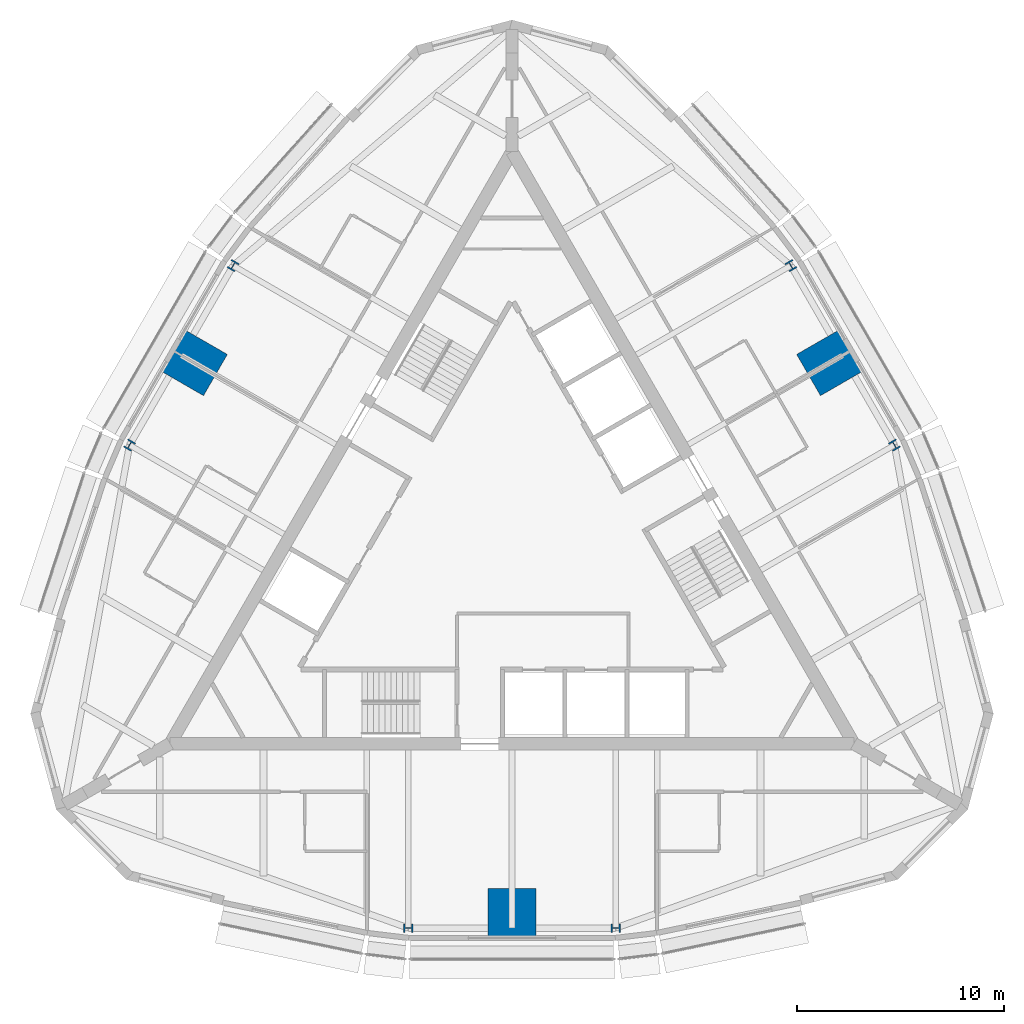
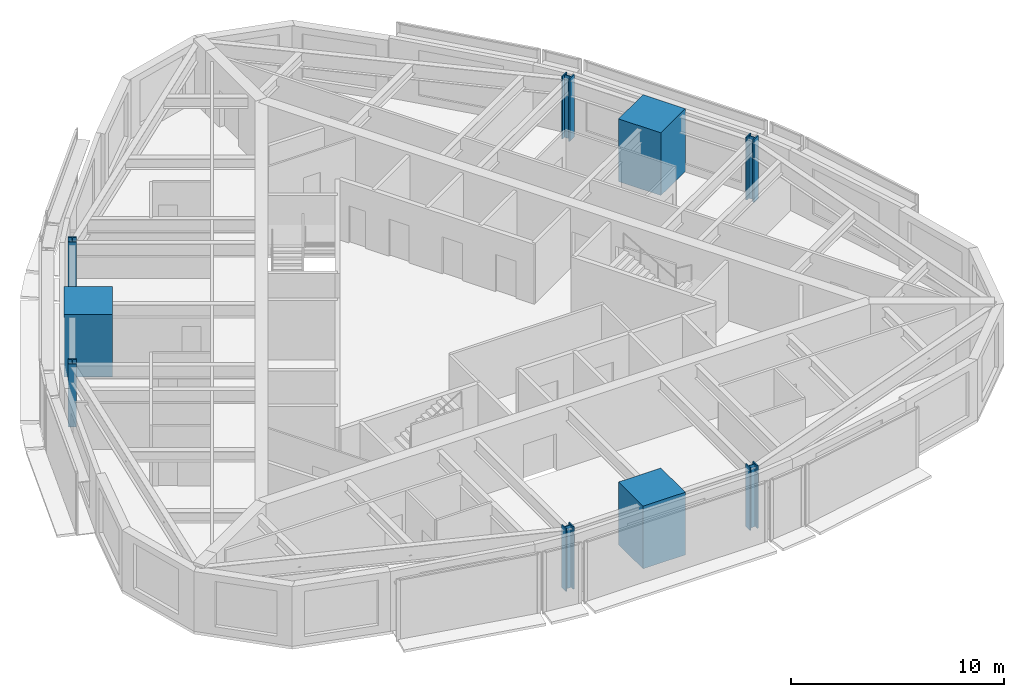
# One storey, part 1 of 12: 9 columns.
"""IFC4 building model written with IfcOpenShell, lengths in metres."""

from ifc_helpers import new_model, si_unit, direction, frame, origin, origin_2d, place, context, subcontext, project, spatial, rectangle, i_section, extrude, material, material_profile, profile_set, type_object, element, save


model = new_model("IFC4")

# Units and contexts
model_context = context("Model", 3, precision=1e-05, world=origin(), true_north=direction((0.0, 1.0)))
body_context = subcontext(model_context, "Body", "Model", "MODEL_VIEW")
ifc_project = project(units=[si_unit("LENGTHUNIT", "METRE"), si_unit("AREAUNIT", "SQUARE_METRE"), si_unit("VOLUMEUNIT", "CUBIC_METRE"), si_unit("PLANEANGLEUNIT", "RADIAN"), si_unit("MASSUNIT", "GRAM", prefix="KILO")], contexts=[model_context])

# Site, building, storey
site_placement = place(None, origin())
site = spatial("IfcSite", under=ifc_project, at=site_placement, CompositionType="ELEMENT")
building_placement = place(site_placement, origin())
building = spatial("IfcBuilding", under=site, at=building_placement, Name="Trikona Tower", CompositionType="ELEMENT")
storey_placement = place(building_placement, frame((0.0, 0.0, 253.699951171875)))
storey = spatial("IfcBuildingStorey", under=building, at=storey_placement, Name="L67", CompositionType="ELEMENT", Elevation=253.699951171875)

# Columns
ifc_material_1 = material(Name="Concrete f'c 10000 psi with encased steel section", Category="concrete")
ifc_material_profile_1 = material_profile(ifc_material_1, rectangle(XDim=2.300048828125, YDim=2.300048828125, at=origin_2d()), Name="MC2300")
ifc_profile_set_1 = profile_set([ifc_material_profile_1], Name="Concrete f'c 10000 psi with encased steel section")
column_type_1 = type_object("IfcColumnType", Name="Composite mega column 2300x2300", PredefinedType="COLUMN", material=ifc_profile_set_1)
for number, where, z_axis, x_axis, name in (
    (1, (0.0, -17.680419921875, 0.0), (0.0, 0.0, 1.0), (0.0, -1.0, 0.0), "Mega column MC1"),
    (2, (15.311767578125, 8.84033203125, 0.0), (0.0, 0.0, 1.0), (0.866025403784, 0.5, 0.0), "Mega column MC2"),
    (3, (-15.311767578125, 8.84033203125, 0.0), (0.0, 0.0, 1.0), (-0.866025403784, 0.5, 0.0), "Mega column MC3"),
):
    element("IfcColumn", number, at=place(storey_placement, frame(where, z_axis=z_axis, x_axis=x_axis)), inside=storey, type_object=column_type_1, Name=name, PredefinedType="COLUMN", context=body_context, shape_type="SweptSolid", body=[
        extrude(rectangle(XDim=2.300048828125, YDim=2.300048828125, at=origin_2d()), origin(), (0.0, 0.0, 1.0), 3.60009765625),
    ])
ifc_material_2 = material(Name="Steel ASTM A992 Grade 50", Category="steel")
ifc_material_profile_2 = material_profile(ifc_material_2, i_section(OverallWidth=0.419189453125, OverallDepth=0.45458984375, WebThickness=0.042236328125, FlangeThickness=0.067626953125, at=origin_2d()), Name="W14X370")
ifc_profile_set_2 = profile_set([ifc_material_profile_2], Name="Steel ASTM A992 Grade 50")
column_type_2 = type_object("IfcColumnType", Name="Steel column W14x370", PredefinedType="COLUMN", material=ifc_profile_set_2)
for number, where, z_axis, x_axis, name in (
    (4, (-5.0, -18.430419921875, 0.0), (0.0, 0.0, 1.0), (0.0, -1.0, 0.0), "Column F0m5"),
    (5, (5.0, -18.430419921875, 0.0), (0.0, 0.0, 1.0), (0.0, -1.0, 0.0), "Column F0p5"),
    (6, (18.461181640625, 4.885009765625, 0.0), (0.0, 0.0, 1.0), (0.866025403784, 0.5, 0.0), "Column F1m5"),
    (7, (13.461181640625, 13.54541015625, 0.0), (0.0, 0.0, 1.0), (0.866025403784, 0.5, 0.0), "Column F1p5"),
    (8, (-13.461181640625, 13.54541015625, 0.0), (0.0, 0.0, 1.0), (-0.866025403784, 0.5, 0.0), "Column F2m5"),
    (9, (-18.461181640625, 4.885009765625, 0.0), (0.0, 0.0, 1.0), (-0.866025403784, 0.5, 0.0), "Column F2p5"),
):
    element("IfcColumn", number, at=place(storey_placement, frame(where, z_axis=z_axis, x_axis=x_axis)), inside=storey, type_object=column_type_2, Name=name, PredefinedType="COLUMN", context=body_context, shape_type="SweptSolid", body=[
        extrude(i_section(OverallWidth=0.419189453125, OverallDepth=0.45458984375, WebThickness=0.042236328125, FlangeThickness=0.067626953125, at=origin_2d()), origin(), (0.0, 0.0, 1.0), 3.60009765625),
    ])

save(model, "model.ifc")
